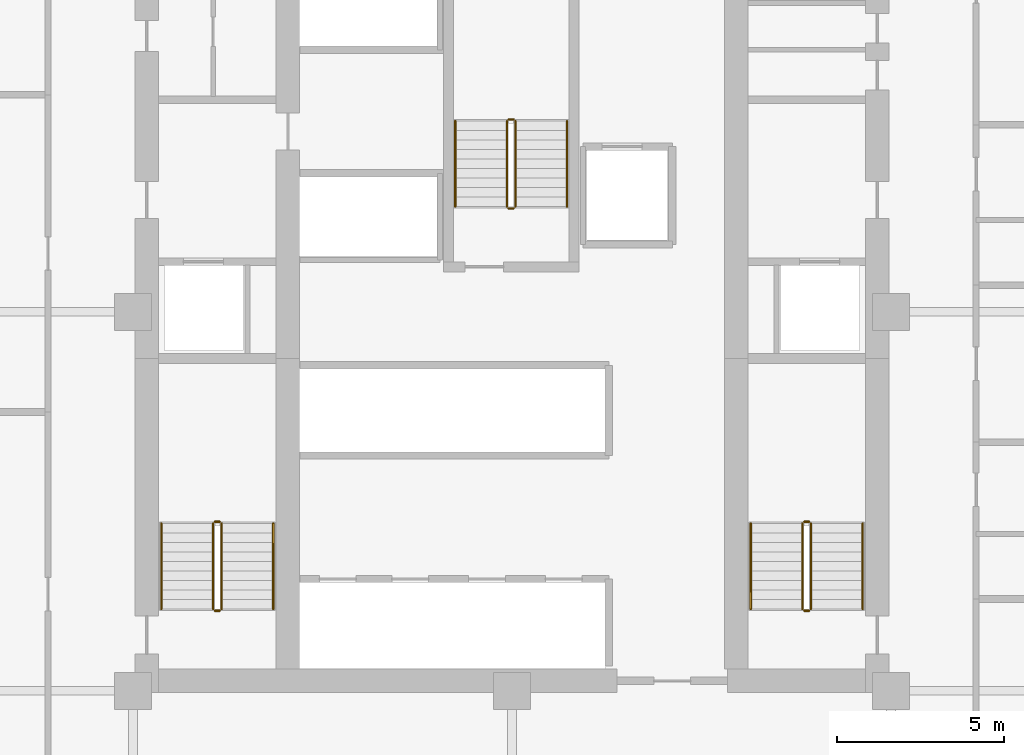
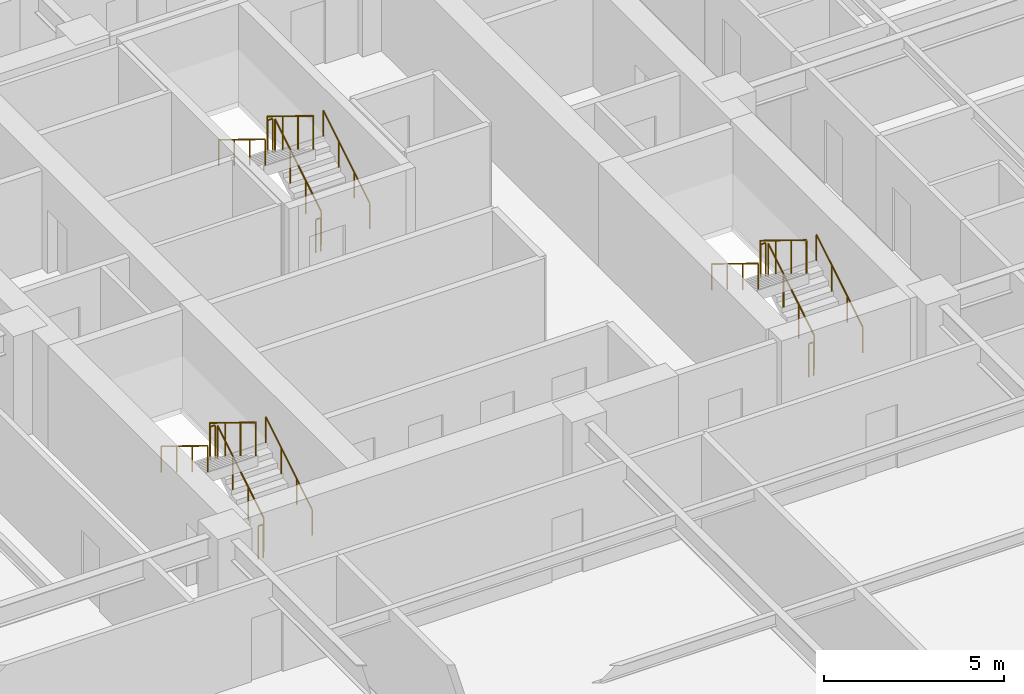
# One storey, part 7 of 7: 18 railings.
"""IFC4 building model written with IfcOpenShell, lengths in metres."""

from ifc_helpers import new_model, si_unit, direction, frame, origin, origin_2d, place, context, subcontext, project, spatial, circle, extrude, material, type_object, element, save


model = new_model("IFC4")

# Units and contexts
model_context = context("Model", 3, precision=1e-05, world=origin(), true_north=direction((0.0, 1.0)))
body_context = subcontext(model_context, "Body", "Model", "MODEL_VIEW")
ifc_project = project(units=[si_unit("LENGTHUNIT", "METRE"), si_unit("AREAUNIT", "SQUARE_METRE"), si_unit("VOLUMEUNIT", "CUBIC_METRE"), si_unit("PLANEANGLEUNIT", "RADIAN"), si_unit("MASSUNIT", "GRAM", prefix="KILO")], contexts=[model_context])

# Site, building, storey
site_placement = place(None, origin())
site = spatial("IfcSite", under=ifc_project, at=site_placement, CompositionType="ELEMENT")
building_placement = place(site_placement, origin())
building = spatial("IfcBuilding", under=site, at=building_placement, Name="Nhamokura Convention Tower", CompositionType="ELEMENT")
storey_placement = place(building_placement, frame((0.0, 0.0, 52.85009765625)))
storey = spatial("IfcBuildingStorey", under=building, at=storey_placement, Name="L11", CompositionType="ELEMENT", Elevation=52.85009765625)

# Railings
ifc_material_1 = material(Name="Anodised bronze stainless steel", Category="steel")
railing_type_1 = type_object("IfcRailingType", Name="StairWallHandrail_900", PredefinedType="HANDRAIL", material=ifc_material_1)
railing_1_placement = place(storey_placement, frame((24.85009765625, 23.10009765625, 0.1748046875)))
element("IfcRailing", 1, at=railing_1_placement, inside=storey, type_object=railing_type_1, Name="L11 ST-01 stair handrail 1", PredefinedType="HANDRAIL", context=body_context, shape_type="SweptSolid", body=[
    extrude(circle(Radius=0.02392578125, at=origin_2d()), frame((0.0, 0.0, 0.8759765625), z_axis=(0.0, 0.85213695991, 0.523318833556), x_axis=(-1.0, 0.0, 0.0)), (0.0, 0.0, 1.0), 3.010009765625),
    extrude(circle(Radius=0.02099609375, at=origin_2d()), origin(), (0.0, 0.0, 1.0), 0.851806640625),
    extrude(circle(Radius=0.02099609375, at=origin_2d()), frame((0.0, 0.85498046875, 0.525146484375)), (0.0, 0.0, 1.0), 0.851806640625),
    extrude(circle(Radius=0.02099609375, at=origin_2d()), frame((0.0, 1.7099609375, 1.050048828125)), (0.0, 0.0, 1.0), 0.851806640625),
    extrude(circle(Radius=0.02099609375, at=origin_2d()), frame((0.0, 2.56494140625, 1.5751953125)), (0.0, 0.0, 1.0), 0.851806640625),
])
railing_2_placement = place(storey_placement, frame((21.5, 25.6650390625, 1.9248046875)))
element("IfcRailing", 2, at=railing_2_placement, inside=storey, type_object=railing_type_1, Name="L11 ST-01 stair handrail 2", PredefinedType="HANDRAIL", context=body_context, shape_type="SweptSolid", body=[
    extrude(circle(Radius=0.02392578125, at=origin_2d()), frame((0.0, 0.0, 0.8759765625), z_axis=(0.0, -0.85213695991, 0.523318833556), x_axis=(1.0, 0.0, 0.0)), (0.0, 0.0, 1.0), 3.010009765625),
    extrude(circle(Radius=0.02099609375, at=origin_2d()), origin(), (0.0, 0.0, 1.0), 0.851806640625),
    extrude(circle(Radius=0.02099609375, at=origin_2d()), frame((0.0, -0.85498046875, 0.525146484375)), (0.0, 0.0, 1.0), 0.851806640625),
    extrude(circle(Radius=0.02099609375, at=origin_2d()), frame((0.0, -1.7099609375, 1.050048828125)), (0.0, 0.0, 1.0), 0.851806640625),
    extrude(circle(Radius=0.02099609375, at=origin_2d()), frame((0.0, -2.56494140625, 1.5751953125)), (0.0, 0.0, 1.0), 0.851806640625),
])
railing_3_placement = place(storey_placement, frame((42.5, 23.10009765625, 0.1748046875)))
element("IfcRailing", 3, at=railing_3_placement, inside=storey, type_object=railing_type_1, Name="L11 ST-02 stair handrail 1", PredefinedType="HANDRAIL", context=body_context, shape_type="SweptSolid", body=[
    extrude(circle(Radius=0.02392578125, at=origin_2d()), frame((0.0, 0.0, 0.8759765625), z_axis=(0.0, 0.85213695991, 0.523318833556), x_axis=(-1.0, 0.0, 0.0)), (0.0, 0.0, 1.0), 3.010009765625),
    extrude(circle(Radius=0.02099609375, at=origin_2d()), origin(), (0.0, 0.0, 1.0), 0.851806640625),
    extrude(circle(Radius=0.02099609375, at=origin_2d()), frame((0.0, 0.85498046875, 0.525146484375)), (0.0, 0.0, 1.0), 0.851806640625),
    extrude(circle(Radius=0.02099609375, at=origin_2d()), frame((0.0, 1.7099609375, 1.050048828125)), (0.0, 0.0, 1.0), 0.851806640625),
    extrude(circle(Radius=0.02099609375, at=origin_2d()), frame((0.0, 2.56494140625, 1.5751953125)), (0.0, 0.0, 1.0), 0.851806640625),
])
railing_4_placement = place(storey_placement, frame((39.14990234375, 25.6650390625, 1.9248046875)))
element("IfcRailing", 4, at=railing_4_placement, inside=storey, type_object=railing_type_1, Name="L11 ST-02 stair handrail 2", PredefinedType="HANDRAIL", context=body_context, shape_type="SweptSolid", body=[
    extrude(circle(Radius=0.02392578125, at=origin_2d()), frame((0.0, 0.0, 0.8759765625), z_axis=(0.0, -0.85213695991, 0.523318833556), x_axis=(1.0, 0.0, 0.0)), (0.0, 0.0, 1.0), 3.010009765625),
    extrude(circle(Radius=0.02099609375, at=origin_2d()), origin(), (0.0, 0.0, 1.0), 0.851806640625),
    extrude(circle(Radius=0.02099609375, at=origin_2d()), frame((0.0, -0.85498046875, 0.525146484375)), (0.0, 0.0, 1.0), 0.851806640625),
    extrude(circle(Radius=0.02099609375, at=origin_2d()), frame((0.0, -1.7099609375, 1.050048828125)), (0.0, 0.0, 1.0), 0.851806640625),
    extrude(circle(Radius=0.02099609375, at=origin_2d()), frame((0.0, -2.56494140625, 1.5751953125)), (0.0, 0.0, 1.0), 0.851806640625),
])
railing_5_placement = place(storey_placement, frame((33.64990234375, 35.14990234375, 0.1748046875)))
element("IfcRailing", 5, at=railing_5_placement, inside=storey, type_object=railing_type_1, Name="L11 ST-03 stair handrail 1", PredefinedType="HANDRAIL", context=body_context, shape_type="SweptSolid", body=[
    extrude(circle(Radius=0.02392578125, at=origin_2d()), frame((0.0, 0.0, 0.8759765625), z_axis=(0.0, 0.852159170481, 0.523282665646), x_axis=(-1.0, 0.0, 0.0)), (0.0, 0.0, 1.0), 3.01025390625),
    extrude(circle(Radius=0.02099609375, at=origin_2d()), origin(), (0.0, 0.0, 1.0), 0.851806640625),
    extrude(circle(Radius=0.02099609375, at=origin_2d()), frame((0.0, 0.85498046875, 0.525146484375)), (0.0, 0.0, 1.0), 0.851806640625),
    extrude(circle(Radius=0.02099609375, at=origin_2d()), frame((0.0, 1.710205078125, 1.050048828125)), (0.0, 0.0, 1.0), 0.851806640625),
    extrude(circle(Radius=0.02099609375, at=origin_2d()), frame((0.0, 2.565185546875, 1.5751953125)), (0.0, 0.0, 1.0), 0.851806640625),
])
railing_6_placement = place(storey_placement, frame((30.300048828125, 37.715087890625, 1.9248046875)))
element("IfcRailing", 6, at=railing_6_placement, inside=storey, type_object=railing_type_1, Name="L11 ST-03 stair handrail 2", PredefinedType="HANDRAIL", context=body_context, shape_type="SweptSolid", body=[
    extrude(circle(Radius=0.02392578125, at=origin_2d()), frame((0.0, 0.0, 0.8759765625), z_axis=(0.0, -0.852159170481, 0.523282665646), x_axis=(1.0, 0.0, 0.0)), (0.0, 0.0, 1.0), 3.01025390625),
    extrude(circle(Radius=0.02099609375, at=origin_2d()), origin(), (0.0, 0.0, 1.0), 0.851806640625),
    extrude(circle(Radius=0.02099609375, at=origin_2d()), frame((0.0, -0.85498046875, 0.525146484375)), (0.0, 0.0, 1.0), 0.851806640625),
    extrude(circle(Radius=0.02099609375, at=origin_2d()), frame((0.0, -1.710205078125, 1.050048828125)), (0.0, 0.0, 1.0), 0.851806640625),
    extrude(circle(Radius=0.02099609375, at=origin_2d()), frame((0.0, -2.565185546875, 1.5751953125)), (0.0, 0.0, 1.0), 0.851806640625),
])
ifc_material_2 = material(Name="Painted tubular steel", Category="steel")
railing_type_2 = type_object("IfcRailingType", Name="StairWellGuardrail_1150", PredefinedType="GUARDRAIL", material=ifc_material_2)
railing_7_placement = place(storey_placement, frame((23.300048828125, 23.10009765625, 0.1748046875)))
element("IfcRailing", 7, at=railing_7_placement, inside=storey, type_object=railing_type_2, Name="L11 ST-01 stair guard 1", PredefinedType="GUARDRAIL", context=body_context, shape_type="SweptSolid", body=[
    extrude(circle(Radius=0.02392578125, at=origin_2d()), frame((0.0, 0.0, 1.1259765625), z_axis=(0.0, 0.85213695991, 0.523318833556), x_axis=(-1.0, 0.0, 0.0)), (0.0, 0.0, 1.0), 3.010009765625),
    extrude(circle(Radius=0.02099609375, at=origin_2d()), origin(), (0.0, 0.0, 1.0), 1.101806640625),
    extrude(circle(Radius=0.02099609375, at=origin_2d()), frame((0.0, 0.85498046875, 0.525146484375)), (0.0, 0.0, 1.0), 1.101806640625),
    extrude(circle(Radius=0.02099609375, at=origin_2d()), frame((0.0, 1.7099609375, 1.050048828125)), (0.0, 0.0, 1.0), 1.101806640625),
    extrude(circle(Radius=0.02099609375, at=origin_2d()), frame((0.0, 2.56494140625, 1.5751953125)), (0.0, 0.0, 1.0), 1.101806640625),
])
railing_8_placement = place(storey_placement, frame((23.25, 25.715087890625, 1.75)))
element("IfcRailing", 8, at=railing_8_placement, inside=storey, type_object=railing_type_2, Name="L11 ST-01 stair guard 2", PredefinedType="GUARDRAIL", context=body_context, shape_type="SweptSolid", body=[
    extrude(circle(Radius=0.02392578125, at=origin_2d()), frame((0.0, 0.0, 1.1259765625), z_axis=(-1.0, 0.0, 0.0), x_axis=(0.0, -1.0, 0.0)), (0.0, 0.0, 1.0), 0.14990234375),
    extrude(circle(Radius=0.02099609375, at=origin_2d()), origin(), (0.0, 0.0, 1.0), 1.101806640625),
    extrude(circle(Radius=0.02099609375, at=origin_2d()), frame((-0.14990234375, 0.0, 0.0)), (0.0, 0.0, 1.0), 1.101806640625),
])
railing_9_placement = place(storey_placement, frame((23.050048828125, 25.6650390625, 1.9248046875)))
element("IfcRailing", 9, at=railing_9_placement, inside=storey, type_object=railing_type_2, Name="L11 ST-01 stair guard 3", PredefinedType="GUARDRAIL", context=body_context, shape_type="SweptSolid", body=[
    extrude(circle(Radius=0.02392578125, at=origin_2d()), frame((0.0, 0.0, 1.1259765625), z_axis=(0.0, -0.85213695991, 0.523318833556), x_axis=(1.0, 0.0, 0.0)), (0.0, 0.0, 1.0), 3.010009765625),
    extrude(circle(Radius=0.02099609375, at=origin_2d()), origin(), (0.0, 0.0, 1.0), 1.101806640625),
    extrude(circle(Radius=0.02099609375, at=origin_2d()), frame((0.0, -0.85498046875, 0.525146484375)), (0.0, 0.0, 1.0), 1.101806640625),
    extrude(circle(Radius=0.02099609375, at=origin_2d()), frame((0.0, -1.7099609375, 1.050048828125)), (0.0, 0.0, 1.0), 1.101806640625),
    extrude(circle(Radius=0.02099609375, at=origin_2d()), frame((0.0, -2.56494140625, 1.5751953125)), (0.0, 0.0, 1.0), 1.101806640625),
])
railing_10_placement = place(storey_placement, frame((23.25, 23.050048828125, 0.0)))
element("IfcRailing", 10, at=railing_10_placement, inside=storey, type_object=railing_type_2, Name="L11 ST-01 stair guard 4", PredefinedType="GUARDRAIL", context=body_context, shape_type="SweptSolid", body=[
    extrude(circle(Radius=0.02392578125, at=origin_2d()), frame((0.0, 0.0, 1.1259765625), z_axis=(-1.0, 0.0, 0.0), x_axis=(0.0, -1.0, 0.0)), (0.0, 0.0, 1.0), 0.14990234375),
    extrude(circle(Radius=0.02099609375, at=origin_2d()), origin(), (0.0, 0.0, 1.0), 1.101806640625),
    extrude(circle(Radius=0.02099609375, at=origin_2d()), frame((-0.14990234375, 0.0, 0.0)), (0.0, 0.0, 1.0), 1.101806640625),
])
railing_11_placement = place(storey_placement, frame((40.949951171875, 23.10009765625, 0.1748046875)))
element("IfcRailing", 11, at=railing_11_placement, inside=storey, type_object=railing_type_2, Name="L11 ST-02 stair guard 1", PredefinedType="GUARDRAIL", context=body_context, shape_type="SweptSolid", body=[
    extrude(circle(Radius=0.02392578125, at=origin_2d()), frame((0.0, 0.0, 1.1259765625), z_axis=(0.0, 0.85213695991, 0.523318833556), x_axis=(-1.0, 0.0, 0.0)), (0.0, 0.0, 1.0), 3.010009765625),
    extrude(circle(Radius=0.02099609375, at=origin_2d()), origin(), (0.0, 0.0, 1.0), 1.101806640625),
    extrude(circle(Radius=0.02099609375, at=origin_2d()), frame((0.0, 0.85498046875, 0.525146484375)), (0.0, 0.0, 1.0), 1.101806640625),
    extrude(circle(Radius=0.02099609375, at=origin_2d()), frame((0.0, 1.7099609375, 1.050048828125)), (0.0, 0.0, 1.0), 1.101806640625),
    extrude(circle(Radius=0.02099609375, at=origin_2d()), frame((0.0, 2.56494140625, 1.5751953125)), (0.0, 0.0, 1.0), 1.101806640625),
])
railing_12_placement = place(storey_placement, frame((40.89990234375, 25.715087890625, 1.75)))
element("IfcRailing", 12, at=railing_12_placement, inside=storey, type_object=railing_type_2, Name="L11 ST-02 stair guard 2", PredefinedType="GUARDRAIL", context=body_context, shape_type="SweptSolid", body=[
    extrude(circle(Radius=0.02392578125, at=origin_2d()), frame((0.0, 0.0, 1.1259765625), z_axis=(-1.0, 0.0, 0.0), x_axis=(0.0, -1.0, 0.0)), (0.0, 0.0, 1.0), 0.14990234375),
    extrude(circle(Radius=0.02099609375, at=origin_2d()), origin(), (0.0, 0.0, 1.0), 1.101806640625),
    extrude(circle(Radius=0.02099609375, at=origin_2d()), frame((-0.14990234375, 0.0, 0.0)), (0.0, 0.0, 1.0), 1.101806640625),
])
railing_13_placement = place(storey_placement, frame((40.699951171875, 25.6650390625, 1.9248046875)))
element("IfcRailing", 13, at=railing_13_placement, inside=storey, type_object=railing_type_2, Name="L11 ST-02 stair guard 3", PredefinedType="GUARDRAIL", context=body_context, shape_type="SweptSolid", body=[
    extrude(circle(Radius=0.02392578125, at=origin_2d()), frame((0.0, 0.0, 1.1259765625), z_axis=(0.0, -0.85213695991, 0.523318833556), x_axis=(1.0, 0.0, 0.0)), (0.0, 0.0, 1.0), 3.010009765625),
    extrude(circle(Radius=0.02099609375, at=origin_2d()), origin(), (0.0, 0.0, 1.0), 1.101806640625),
    extrude(circle(Radius=0.02099609375, at=origin_2d()), frame((0.0, -0.85498046875, 0.525146484375)), (0.0, 0.0, 1.0), 1.101806640625),
    extrude(circle(Radius=0.02099609375, at=origin_2d()), frame((0.0, -1.7099609375, 1.050048828125)), (0.0, 0.0, 1.0), 1.101806640625),
    extrude(circle(Radius=0.02099609375, at=origin_2d()), frame((0.0, -2.56494140625, 1.5751953125)), (0.0, 0.0, 1.0), 1.101806640625),
])
railing_14_placement = place(storey_placement, frame((40.89990234375, 23.050048828125, 0.0)))
element("IfcRailing", 14, at=railing_14_placement, inside=storey, type_object=railing_type_2, Name="L11 ST-02 stair guard 4", PredefinedType="GUARDRAIL", context=body_context, shape_type="SweptSolid", body=[
    extrude(circle(Radius=0.02392578125, at=origin_2d()), frame((0.0, 0.0, 1.1259765625), z_axis=(-1.0, 0.0, 0.0), x_axis=(0.0, -1.0, 0.0)), (0.0, 0.0, 1.0), 0.14990234375),
    extrude(circle(Radius=0.02099609375, at=origin_2d()), origin(), (0.0, 0.0, 1.0), 1.101806640625),
    extrude(circle(Radius=0.02099609375, at=origin_2d()), frame((-0.14990234375, 0.0, 0.0)), (0.0, 0.0, 1.0), 1.101806640625),
])
railing_15_placement = place(storey_placement, frame((32.10009765625, 35.14990234375, 0.1748046875)))
element("IfcRailing", 15, at=railing_15_placement, inside=storey, type_object=railing_type_2, Name="L11 ST-03 stair guard 1", PredefinedType="GUARDRAIL", context=body_context, shape_type="SweptSolid", body=[
    extrude(circle(Radius=0.02392578125, at=origin_2d()), frame((0.0, 0.0, 1.1259765625), z_axis=(0.0, 0.852159170481, 0.523282665646), x_axis=(-1.0, 0.0, 0.0)), (0.0, 0.0, 1.0), 3.01025390625),
    extrude(circle(Radius=0.02099609375, at=origin_2d()), origin(), (0.0, 0.0, 1.0), 1.101806640625),
    extrude(circle(Radius=0.02099609375, at=origin_2d()), frame((0.0, 0.85498046875, 0.525146484375)), (0.0, 0.0, 1.0), 1.101806640625),
    extrude(circle(Radius=0.02099609375, at=origin_2d()), frame((0.0, 1.710205078125, 1.050048828125)), (0.0, 0.0, 1.0), 1.101806640625),
    extrude(circle(Radius=0.02099609375, at=origin_2d()), frame((0.0, 2.565185546875, 1.5751953125)), (0.0, 0.0, 1.0), 1.101806640625),
])
railing_16_placement = place(storey_placement, frame((32.050048828125, 37.764892578125, 1.75)))
element("IfcRailing", 16, at=railing_16_placement, inside=storey, type_object=railing_type_2, Name="L11 ST-03 stair guard 2", PredefinedType="GUARDRAIL", context=body_context, shape_type="SweptSolid", body=[
    extrude(circle(Radius=0.02392578125, at=origin_2d()), frame((0.0, 0.0, 1.1259765625), z_axis=(-1.0, 0.0, 0.0), x_axis=(0.0, -1.0, 0.0)), (0.0, 0.0, 1.0), 0.150146484375),
    extrude(circle(Radius=0.02099609375, at=origin_2d()), origin(), (0.0, 0.0, 1.0), 1.101806640625),
    extrude(circle(Radius=0.02099609375, at=origin_2d()), frame((-0.150146484375, 0.0, 0.0)), (0.0, 0.0, 1.0), 1.101806640625),
])
railing_17_placement = place(storey_placement, frame((31.85009765625, 37.715087890625, 1.9248046875)))
element("IfcRailing", 17, at=railing_17_placement, inside=storey, type_object=railing_type_2, Name="L11 ST-03 stair guard 3", PredefinedType="GUARDRAIL", context=body_context, shape_type="SweptSolid", body=[
    extrude(circle(Radius=0.02392578125, at=origin_2d()), frame((0.0, 0.0, 1.1259765625), z_axis=(0.0, -0.852159170481, 0.523282665646), x_axis=(1.0, 0.0, 0.0)), (0.0, 0.0, 1.0), 3.01025390625),
    extrude(circle(Radius=0.02099609375, at=origin_2d()), origin(), (0.0, 0.0, 1.0), 1.101806640625),
    extrude(circle(Radius=0.02099609375, at=origin_2d()), frame((0.0, -0.85498046875, 0.525146484375)), (0.0, 0.0, 1.0), 1.101806640625),
    extrude(circle(Radius=0.02099609375, at=origin_2d()), frame((0.0, -1.710205078125, 1.050048828125)), (0.0, 0.0, 1.0), 1.101806640625),
    extrude(circle(Radius=0.02099609375, at=origin_2d()), frame((0.0, -2.565185546875, 1.5751953125)), (0.0, 0.0, 1.0), 1.101806640625),
])
railing_18_placement = place(storey_placement, frame((32.050048828125, 35.10009765625, 0.0)))
element("IfcRailing", 18, at=railing_18_placement, inside=storey, type_object=railing_type_2, Name="L11 ST-03 stair guard 4", PredefinedType="GUARDRAIL", context=body_context, shape_type="SweptSolid", body=[
    extrude(circle(Radius=0.02392578125, at=origin_2d()), frame((0.0, 0.0, 1.1259765625), z_axis=(-1.0, 0.0, 0.0), x_axis=(0.0, -1.0, 0.0)), (0.0, 0.0, 1.0), 0.150146484375),
    extrude(circle(Radius=0.02099609375, at=origin_2d()), origin(), (0.0, 0.0, 1.0), 1.101806640625),
    extrude(circle(Radius=0.02099609375, at=origin_2d()), frame((-0.150146484375, 0.0, 0.0)), (0.0, 0.0, 1.0), 1.101806640625),
])

save(model, "model.ifc")
